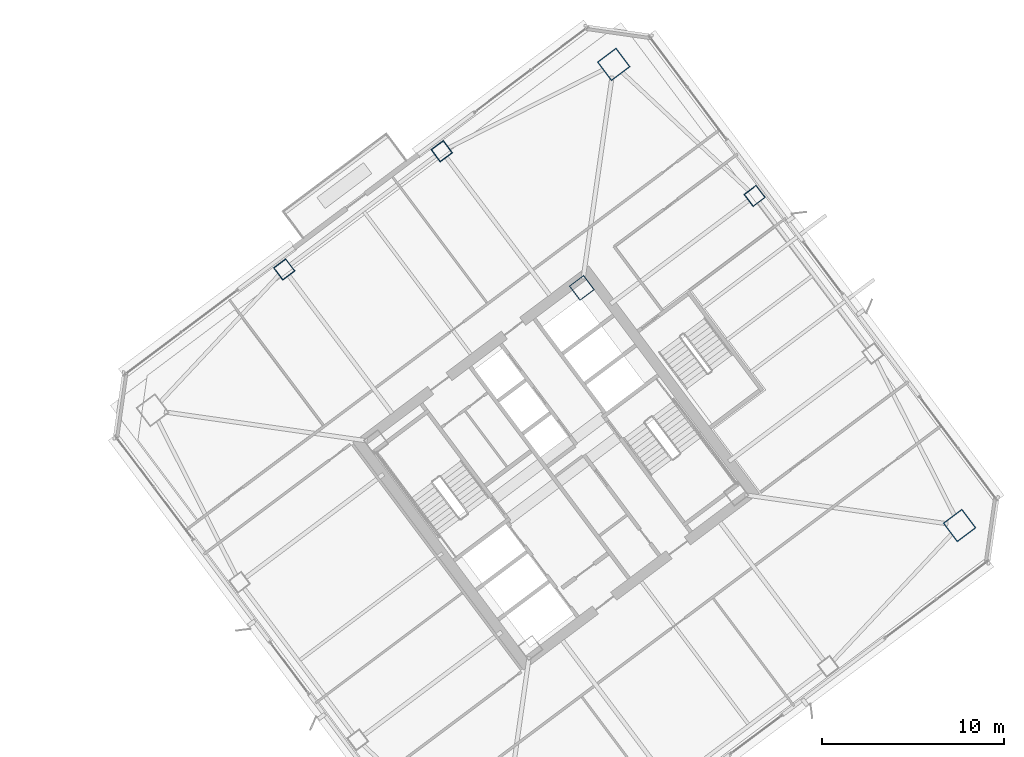
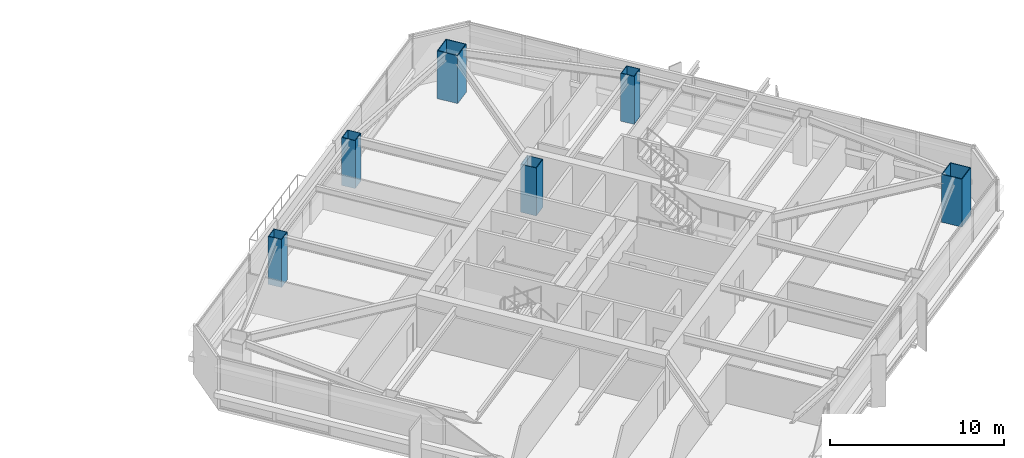
# One storey, part 2 of 48: 6 columns.
"""IFC4 building model written with IfcOpenShell, lengths in metres."""

from ifc_helpers import new_model, si_unit, direction, frame, origin, origin_2d, place, context, subcontext, project, spatial, hollow_rectangle, extrude, material, material_profile, profile_set, type_object, element, save


model = new_model("IFC4")

# Units and contexts
model_context = context("Model", 3, precision=1e-05, world=origin(), true_north=direction((0.0, 1.0)))
body_context = subcontext(model_context, "Body", "Model", "MODEL_VIEW")
ifc_project = project(units=[si_unit("LENGTHUNIT", "METRE"), si_unit("AREAUNIT", "SQUARE_METRE"), si_unit("VOLUMEUNIT", "CUBIC_METRE"), si_unit("PLANEANGLEUNIT", "RADIAN"), si_unit("MASSUNIT", "GRAM", prefix="KILO")], contexts=[model_context])

# Site, building, storey
site_placement = place(None, origin())
site = spatial("IfcSite", under=ifc_project, at=site_placement, CompositionType="ELEMENT")
building_placement = place(site_placement, origin())
building = spatial("IfcBuilding", under=site, at=building_placement, Name="Tashvorn Skyway Center", CompositionType="ELEMENT")
storey_placement = place(building_placement, frame((0.0, 0.0, 125.050048828125)))
storey = spatial("IfcBuildingStorey", under=building, at=storey_placement, Name="L33", CompositionType="ELEMENT", Elevation=125.050048828125)

# Columns
ifc_material = material(Name="Steel ASTM A572 Grade 50", Category="steel")
ifc_material_profile_1 = material_profile(ifc_material, hollow_rectangle(XDim=1.0, YDim=1.0, WallThickness=0.0400390625, at=origin_2d()), Name="BOX1000x1000x40")
ifc_profile_set_1 = profile_set([ifc_material_profile_1], Name="Steel ASTM A572 Grade 50")
column_type_1 = type_object("IfcColumnType", Name="COL-BOX1000x1000x40", PredefinedType="COLUMN", material=ifc_profile_set_1)
column_placement = place(storey_placement, frame((115.409912109375, 41.8701171875, 0.0), z_axis=(0.0, 0.0, 1.0), x_axis=(0.799999996291, 0.600000004945, 0.0)))
element("IfcColumn", 1, at=column_placement, inside=storey, type_object=column_type_1, Name="Tower 2 L33 Core Corner Column CC-NE", PredefinedType="COLUMN", context=body_context, shape_type="SweptSolid", body=[
    extrude(hollow_rectangle(XDim=1.0, YDim=1.0, WallThickness=0.0400390625, at=origin_2d()), origin(), (0.0, 0.0, 1.0), 3.369873046875),
])
ifc_material_profile_2 = material_profile(ifc_material, hollow_rectangle(XDim=1.300048828125, YDim=1.300048828125, WallThickness=0.050048828125, at=origin_2d()), Name="BOX1300x1300x50")
ifc_profile_set_2 = profile_set([ifc_material_profile_2], Name="Steel ASTM A572 Grade 50")
column_type_2 = type_object("IfcColumnType", Name="COL-BOX1300x1300x50", PredefinedType="COLUMN", material=ifc_profile_set_2)
for number, where, z_axis, x_axis, name in (
    (2, (136.1201171875, 28.840087890625, 0.0), (0.0, 0.0, 1.0), (0.799999996291, 0.600000004945, 0.0), "Tower 2 L33 Mega-Column MC-SE"),
    (3, (117.159912109375, 54.1201171875, 0.0), (0.0, 0.0, 1.0), (0.799999996291, 0.600000004945, 0.0), "Tower 2 L33 Mega-Column MC-NE"),
):
    element("IfcColumn", number, at=place(storey_placement, frame(where, z_axis=z_axis, x_axis=x_axis)), inside=storey, type_object=column_type_2, Name=name, PredefinedType="COLUMN", context=body_context, shape_type="SweptSolid", body=[
        extrude(hollow_rectangle(XDim=1.300048828125, YDim=1.300048828125, WallThickness=0.050048828125, at=origin_2d()), origin(), (0.0, 0.0, 1.0), 3.369873046875),
    ])
ifc_material_profile_3 = material_profile(ifc_material, hollow_rectangle(XDim=0.85009765625, YDim=0.85009765625, WallThickness=0.034912109375, at=origin_2d()), Name="BOX850x850x35")
ifc_profile_set_3 = profile_set([ifc_material_profile_3], Name="Steel ASTM A572 Grade 50")
column_type_3 = type_object("IfcColumnType", Name="COL-BOX850x850x35", PredefinedType="COLUMN", material=ifc_profile_set_3)
for number, where, z_axis, x_axis, name in (
    (4, (124.8798828125, 46.909912109375, 0.0), (0.0, 0.0, 1.0), (0.799999996291, 0.600000004945, 0.0), "Tower 2 L33 Perimeter Column FC-E2"),
    (5, (107.72998046875, 49.360107421875, 0.0), (0.0, 0.0, 1.0), (0.799999996291, 0.600000004945, 0.0), "Tower 2 L33 Perimeter Column FC-N1"),
    (6, (99.090087890625, 42.8798828125, 0.0), (0.0, 0.0, 1.0), (0.799999996291, 0.600000004945, 0.0), "Tower 2 L33 Perimeter Column FC-N2"),
):
    element("IfcColumn", number, at=place(storey_placement, frame(where, z_axis=z_axis, x_axis=x_axis)), inside=storey, type_object=column_type_3, Name=name, PredefinedType="COLUMN", context=body_context, shape_type="SweptSolid", body=[
        extrude(hollow_rectangle(XDim=0.85009765625, YDim=0.85009765625, WallThickness=0.034912109375, at=origin_2d()), origin(), (0.0, 0.0, 1.0), 3.369873046875),
    ])

save(model, "model.ifc")
